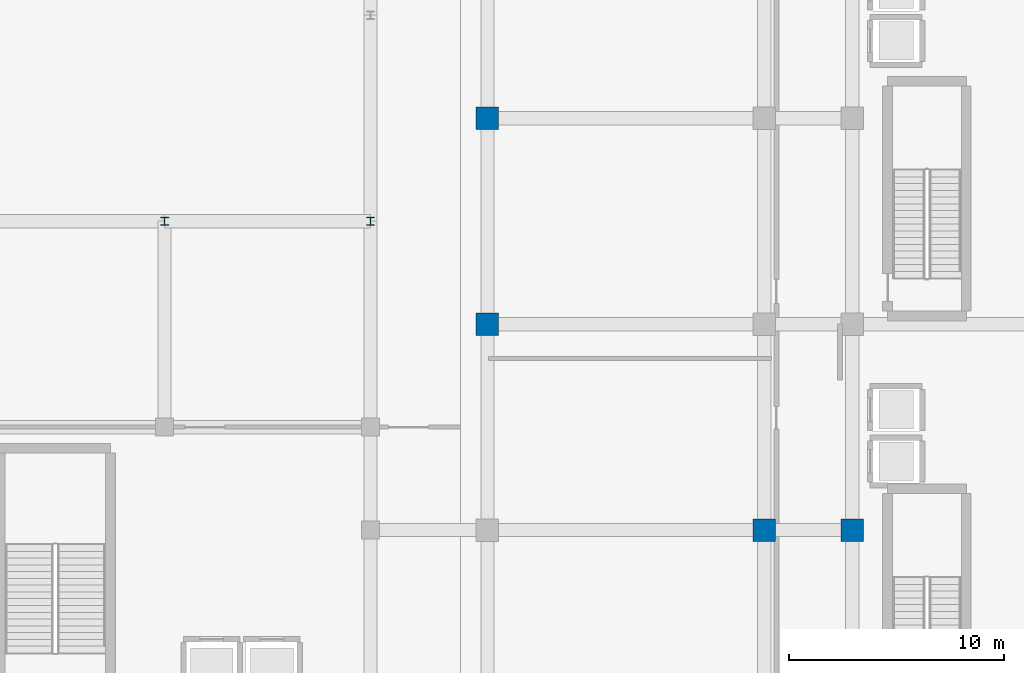
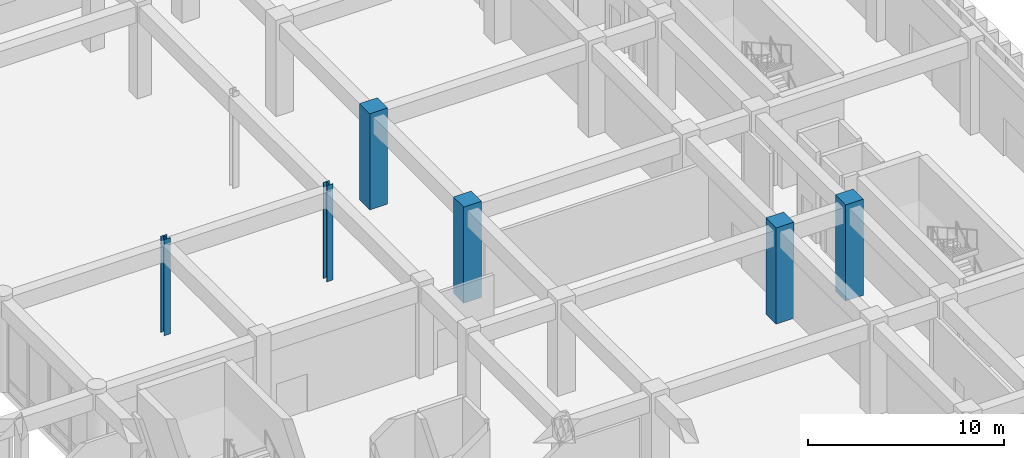
# One storey, part 9 of 87: 6 columns.
"""IFC4 building model written with IfcOpenShell, lengths in metres."""

from ifc_helpers import new_model, si_unit, direction, frame, origin, origin_2d, place, context, subcontext, project, spatial, rectangle, i_section, extrude, material, material_profile, profile_set, type_object, element, save


model = new_model("IFC4")

# Units and contexts
model_context = context("Model", 3, precision=1e-05, world=origin(), true_north=direction((0.0, 1.0)))
body_context = subcontext(model_context, "Body", "Model", "MODEL_VIEW")
ifc_project = project(units=[si_unit("LENGTHUNIT", "METRE"), si_unit("AREAUNIT", "SQUARE_METRE"), si_unit("VOLUMEUNIT", "CUBIC_METRE"), si_unit("PLANEANGLEUNIT", "RADIAN"), si_unit("MASSUNIT", "GRAM", prefix="KILO")], contexts=[model_context])

# Site, building, storey
site_placement = place(None, origin())
site = spatial("IfcSite", under=ifc_project, at=site_placement, CompositionType="ELEMENT")
building_placement = place(site_placement, origin())
building = spatial("IfcBuilding", under=site, at=building_placement, Name="Nakhvara Creek Congress Hotel", CompositionType="ELEMENT")
storey_placement = place(building_placement, origin())
storey = spatial("IfcBuildingStorey", under=building, at=storey_placement, Name="L00", CompositionType="ELEMENT", Elevation=0.0)

# Columns
ifc_material_1 = material(Name="Concrete C50/60", Category="concrete")
ifc_material_profile_1 = material_profile(ifc_material_1, rectangle(XDim=1.050048828125, YDim=1.050048828125, at=origin_2d()), Name="RC-COL 1050x1050", Category="LoadBearing")
ifc_profile_set_1 = profile_set([ifc_material_profile_1], Name="Concrete C50/60")
column_type_1 = type_object("IfcColumnType", Name="COL-RC-1050", PredefinedType="COLUMN", material=ifc_profile_set_1)
for number, where, z_axis, x_axis, name in (
    (1, (149.449951171875, 48.0, 0.0), (0.0, 0.0, 1.0), (1.0, 0.0, 0.0), "Column C16-L00-0761"),
    (2, (149.449951171875, 57.60009765625, 0.0), (0.0, 0.0, 1.0), (1.0, 0.0, 0.0), "Column C16-L00-0762"),
    (3, (162.35009765625, 38.39990234375, 0.0), (0.0, 0.0, 1.0), (1.0, 0.0, 0.0), "Column C16-L00-0774"),
    (4, (166.449951171875, 38.39990234375, 0.0), (0.0, 0.0, 1.0), (1.0, 0.0, 0.0), "Column C16-L00-0788"),
):
    element("IfcColumn", number, at=place(storey_placement, frame(where, z_axis=z_axis, x_axis=x_axis)), inside=storey, type_object=column_type_1, Name=name, PredefinedType="COLUMN", context=body_context, shape_type="SweptSolid", body=[
        extrude(rectangle(XDim=1.050048828125, YDim=1.050048828125, at=origin_2d()), origin(), (0.0, 0.0, 1.0), 6.0),
    ])
ifc_material_2 = material(Name="Steel S355J2", Category="steel")
ifc_material_profile_2 = material_profile(ifc_material_2, i_section(OverallWidth=0.37060546875, OverallDepth=0.362060546875, WebThickness=0.01220703125, FlangeThickness=0.020751953125, FilletRadius=0.01513671875, at=origin_2d()), Name="UC 356x368x153", Category="LoadBearing")
ifc_profile_set_2 = profile_set([ifc_material_profile_2], Name="Steel S355J2")
column_type_2 = type_object("IfcColumnType", Name="COL-ST-UC356", PredefinedType="COLUMN", material=ifc_profile_set_2)
for number, where, z_axis, x_axis, name in (
    (5, (134.39990234375, 52.800048828125, 0.0), (0.0, 0.0, 1.0), (1.0, 0.0, 0.0), "Column CS1-L00-0723"),
    (6, (144.0, 52.800048828125, 0.0), (0.0, 0.0, 1.0), (1.0, 0.0, 0.0), "Column CS1-L00-0734"),
):
    element("IfcColumn", number, at=place(storey_placement, frame(where, z_axis=z_axis, x_axis=x_axis)), inside=storey, type_object=column_type_2, Name=name, PredefinedType="COLUMN", context=body_context, shape_type="SweptSolid", body=[
        extrude(i_section(OverallWidth=0.37060546875, OverallDepth=0.362060546875, WebThickness=0.01220703125, FlangeThickness=0.020751953125, FilletRadius=0.01513671875, at=origin_2d()), origin(), (0.0, 0.0, 1.0), 6.0),
    ])

save(model, "model.ifc")
